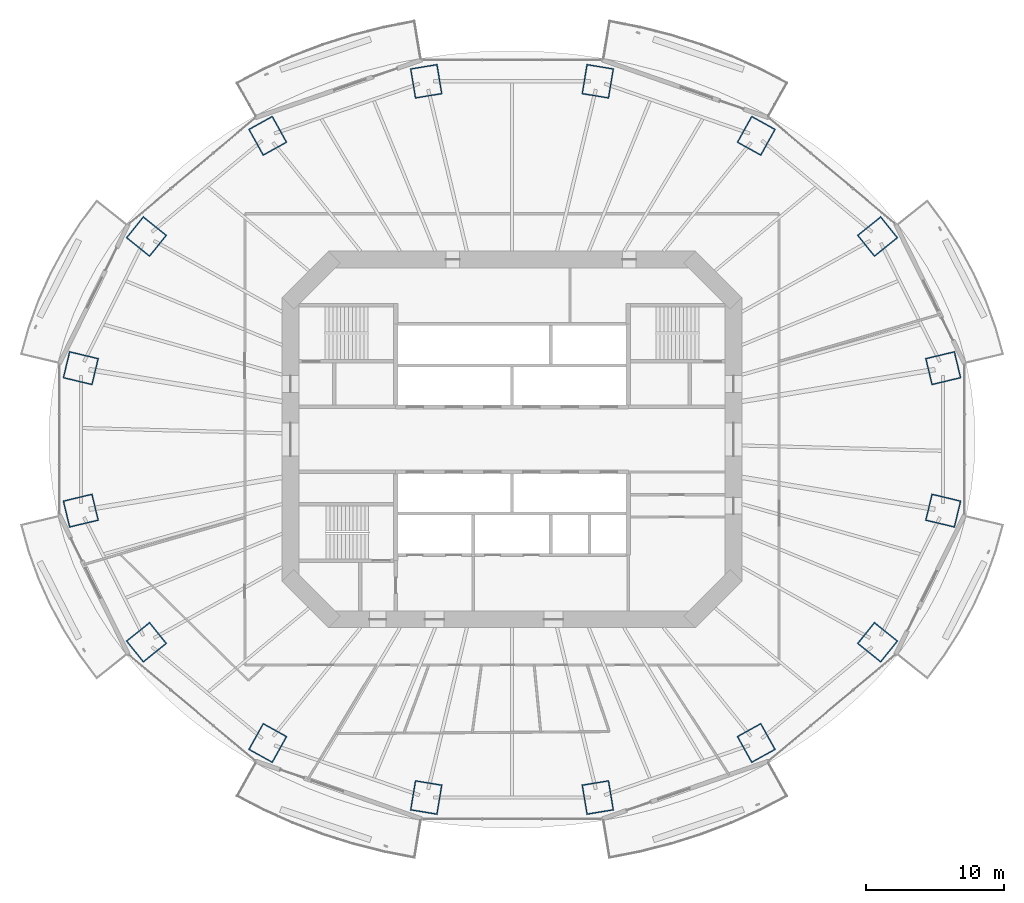
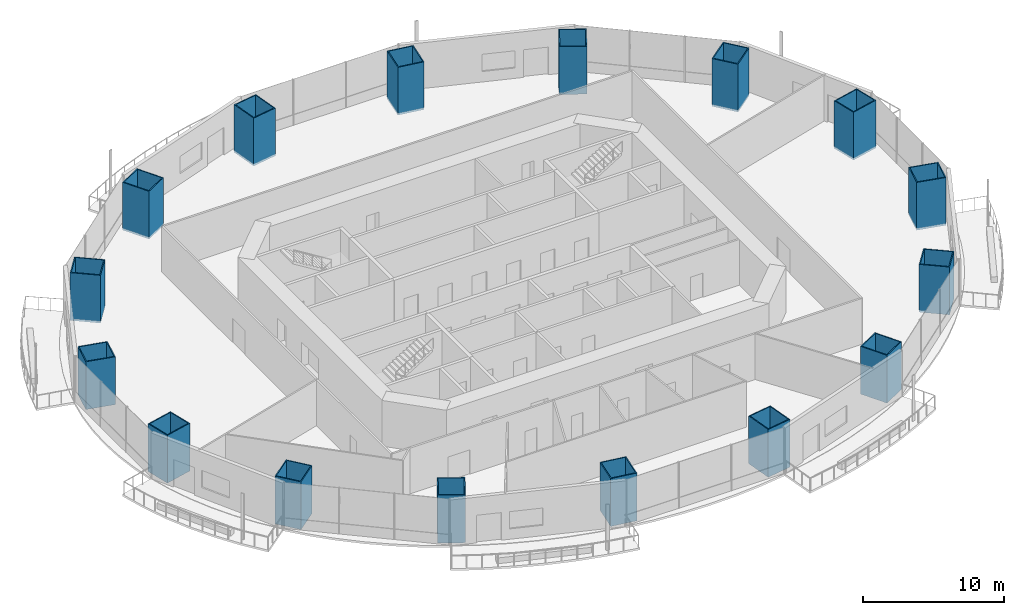
# One storey, part 1 of 20: 16 columns.
"""IFC4 building model written with IfcOpenShell, lengths in metres."""

from ifc_helpers import new_model, si_unit, direction, frame, origin, origin_2d, place, context, subcontext, project, spatial, rectangle, hollow_rectangle, extrude, material, material_profile, profile_set, type_object, element, save


model = new_model("IFC4")

# Units and contexts
model_context = context("Model", 3, precision=1e-05, world=origin(), true_north=direction((0.0, 1.0)))
body_context = subcontext(model_context, "Body", "Model", "MODEL_VIEW")
ifc_project = project(units=[si_unit("LENGTHUNIT", "METRE"), si_unit("AREAUNIT", "SQUARE_METRE"), si_unit("VOLUMEUNIT", "CUBIC_METRE"), si_unit("PLANEANGLEUNIT", "RADIAN"), si_unit("MASSUNIT", "GRAM", prefix="KILO")], contexts=[model_context])

# Site, building, storey
site_placement = place(None, origin())
site = spatial("IfcSite", under=ifc_project, at=site_placement, CompositionType="ELEMENT")
building_placement = place(site_placement, origin())
building = spatial("IfcBuilding", under=site, at=building_placement, Name="Marenthal Gate Tower", CompositionType="ELEMENT")
storey_placement = place(building_placement, frame((0.0, 0.0, 136.75)))
storey = spatial("IfcBuildingStorey", under=building, at=storey_placement, Name="L29", CompositionType="ELEMENT", Elevation=136.75)

# Columns
ifc_material_1 = material(Name="Steel S460", Category="steel")
ifc_material_profile_1 = material_profile(ifc_material_1, hollow_rectangle(XDim=2.0, YDim=2.199951171875, WallThickness=0.080078125, at=origin_2d()), Name="CFT BOX 2200X2000X80")
ifc_material_2 = material(Name="Concrete 70 MPa", Category="concrete")
ifc_material_profile_2 = material_profile(ifc_material_2, rectangle(XDim=1.840087890625, YDim=2.0400390625, at=origin_2d()), Name="CFT BOX 2200X2000X80 INFILL")
ifc_profile_set = profile_set([ifc_material_profile_1, ifc_material_profile_2], Name="Steel S460 shell, Concrete 70 MPa infill")
column_type = type_object("IfcColumnType", Name="CFT BOX 2200X2000X80", PredefinedType="COLUMN", material=ifc_profile_set)
for number, where, z_axis, x_axis, name in (
    (1, (31.151611328125, 5.14599609375, -0.179931640625), (0.0, 0.0, 1.0), (0.23293280554, -0.972492831903, 0.0), "COL-L29-01"),
    (2, (26.4091796875, 14.654296875, -0.179931640625), (0.0, 0.0, 1.0), (0.626873093811, -0.779121379668, 0.0), "COL-L29-02"),
    (3, (17.64599609375, 21.931640625, -0.179931640625), (0.0, 0.0, 1.0), (0.874403004827, -0.485200355677, 0.0), "COL-L29-03"),
    (4, (6.196533203125, 25.8701171875, -0.179931640625), (0.0, 0.0, 1.0), (0.986629397471, -0.162979851655, 0.0), "COL-L29-04"),
    (5, (-6.196533203125, 25.8701171875, -0.179931640625), (0.0, 0.0, 1.0), (0.986629397471, 0.162979851655, 0.0), "COL-L29-05"),
    (6, (-17.64599609375, 21.931640625, -0.179931640625), (0.0, 0.0, 1.0), (0.874403004827, 0.485200355677, 0.0), "COL-L29-06"),
    (7, (-26.4091796875, 14.654296875, -0.179931640625), (0.0, 0.0, 1.0), (0.626873093811, 0.779121379668, 0.0), "COL-L29-07"),
    (8, (-31.151611328125, 5.14599609375, -0.179931640625), (0.0, 0.0, 1.0), (0.23293280554, 0.972492831903, 0.0), "COL-L29-08"),
    (9, (-31.151611328125, -5.14599609375, -0.179931640625), (0.0, 0.0, 1.0), (-0.23293280554, 0.972492831903, 0.0), "COL-L29-09"),
    (10, (-26.4091796875, -14.654296875, -0.179931640625), (0.0, 0.0, 1.0), (-0.626873093811, 0.779121379668, 0.0), "COL-L29-10"),
    (11, (-17.64599609375, -21.931640625, -0.179931640625), (0.0, 0.0, 1.0), (-0.874403004827, 0.485200355677, 0.0), "COL-L29-11"),
    (12, (-6.196533203125, -25.8701171875, -0.179931640625), (0.0, 0.0, 1.0), (-0.986629397471, 0.162979851655, 0.0), "COL-L29-12"),
    (13, (6.196533203125, -25.8701171875, -0.179931640625), (0.0, 0.0, 1.0), (-0.986629397471, -0.162979851655, 0.0), "COL-L29-13"),
    (14, (17.64599609375, -21.931640625, -0.179931640625), (0.0, 0.0, 1.0), (-0.874403004827, -0.485200355677, 0.0), "COL-L29-14"),
    (15, (26.4091796875, -14.654296875, -0.179931640625), (0.0, 0.0, 1.0), (-0.626873093811, -0.779121379668, 0.0), "COL-L29-15"),
    (16, (31.151611328125, -5.14599609375, -0.179931640625), (0.0, 0.0, 1.0), (-0.23293280554, -0.972492831903, 0.0), "COL-L29-16"),
):
    element("IfcColumn", number, at=place(storey_placement, frame(where, z_axis=z_axis, x_axis=x_axis)), inside=storey, type_object=column_type, Name=name, PredefinedType="COLUMN", context=body_context, shape_type="SweptSolid", body=[
        extrude(hollow_rectangle(XDim=2.0, YDim=2.199951171875, WallThickness=0.080078125, at=origin_2d()), origin(), (0.0, 0.0, 1.0), 4.14990234375),
    ])

save(model, "model.ifc")
